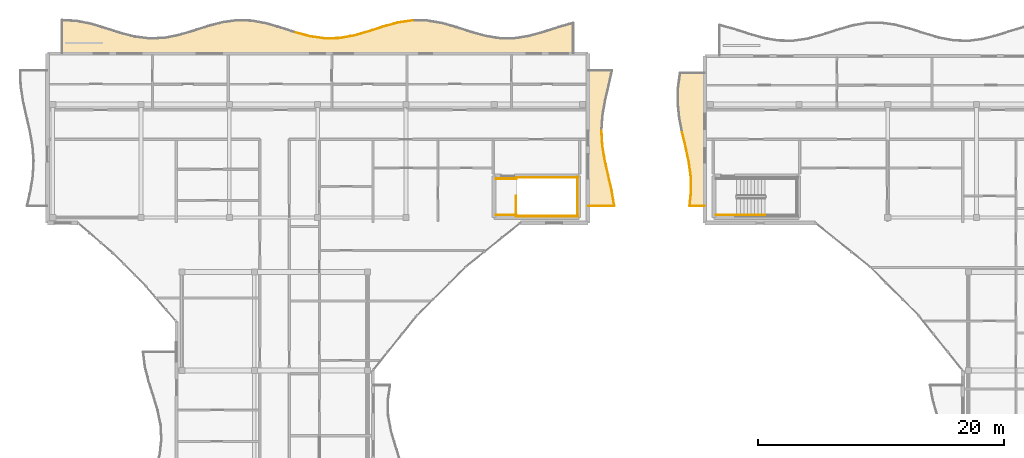
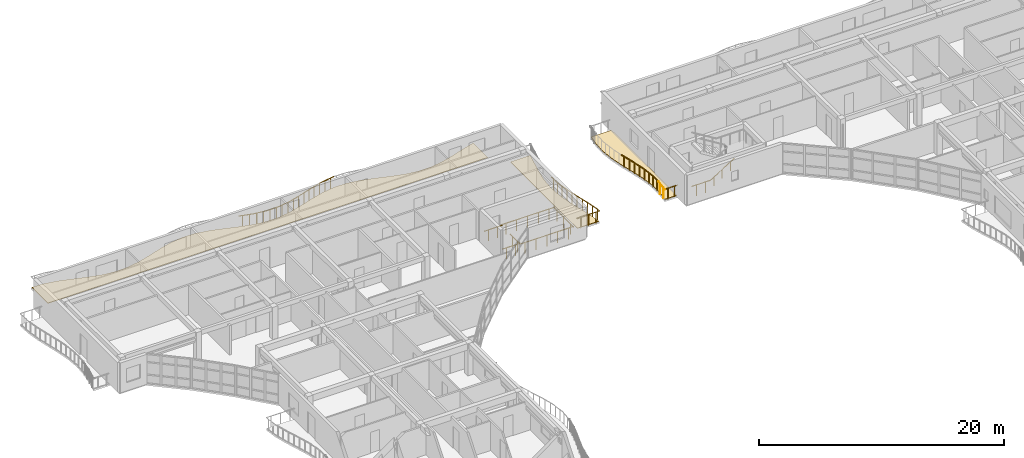
# One storey, part 25 of 30: 28 railings, 3 coverings.
"""IFC4 building model written with IfcOpenShell, lengths in metres."""

from ifc_helpers import new_model, si_unit, direction, frame, origin, origin_2d, place, context, subcontext, project, spatial, polyline, circle, outline, extrude, material, layer, layer_set, type_object, element, save


model = new_model("IFC4")

# Units and contexts
model_context = context("Model", 3, precision=1e-05, world=origin(), true_north=direction((0.0, 1.0)))
body_context = subcontext(model_context, "Body", "Model", "MODEL_VIEW")
ifc_project = project(units=[si_unit("LENGTHUNIT", "METRE"), si_unit("AREAUNIT", "SQUARE_METRE"), si_unit("VOLUMEUNIT", "CUBIC_METRE"), si_unit("PLANEANGLEUNIT", "RADIAN"), si_unit("MASSUNIT", "GRAM", prefix="KILO")], contexts=[model_context])

# Site, building, storey
site_placement = place(None, origin())
site = spatial("IfcSite", under=ifc_project, at=site_placement, CompositionType="ELEMENT")
building_placement = place(site_placement, origin())
building = spatial("IfcBuilding", under=site, at=building_placement, Name="Keldmere Railside Commons", CompositionType="ELEMENT")
storey_placement = place(building_placement, frame((0.0, 0.0, 36.159912109375)))
storey = spatial("IfcBuildingStorey", under=building, at=storey_placement, Name="L11", CompositionType="ELEMENT", Elevation=36.159912109375)

# Railings
ifc_material_1 = material(Name="Steel F-24 (S235)", Category="steel")
railing_type_1 = type_object("IfcRailingType", Name="Balcony & Terrace Steel Balustrade 1100", PredefinedType="BALUSTRADE", material=ifc_material_1)
railing_1_placement = place(storey_placement, frame((113.717041015625, 115.5, 0.0)))
element("IfcRailing", 1, at=railing_1_placement, inside=storey, type_object=railing_type_1, Name="GR-1 GRD-L11-3070", PredefinedType="BALUSTRADE", context=body_context, shape_type="SweptSolid", body=[
    extrude(circle(Radius=0.02392578125, at=origin_2d()), frame((0.0, 0.0, 1.076171875), z_axis=(0.966106381796, -0.258144260159, 0.0), x_axis=(0.258144260159, 0.966106381796, 0.0)), (0.0, 0.0, 1.0), 1.23046875),
    extrude(circle(Radius=0.02099609375, at=origin_2d()), frame((0.297119140625, -0.079345703125, 0.0)), (0.0, 0.0, 1.0), 1.048095703125),
    extrude(circle(Radius=0.02099609375, at=origin_2d()), frame((0.8916015625, -0.23828125, 0.0)), (0.0, 0.0, 1.0), 1.048095703125),
])
railing_2_placement = place(storey_placement, frame((114.90576171875, 115.182373046875, 0.0)))
element("IfcRailing", 2, at=railing_2_placement, inside=storey, type_object=railing_type_1, Name="GR-1 GRD-L11-3071", PredefinedType="BALUSTRADE", context=body_context, shape_type="SweptSolid", body=[
    extrude(circle(Radius=0.02392578125, at=origin_2d()), frame((0.0, 0.0, 1.076171875), z_axis=(0.990103478867, -0.140339235912, 0.0), x_axis=(0.140339235912, 0.990103478867, 0.0)), (0.0, 0.0, 1.0), 1.200439453125),
    extrude(circle(Radius=0.02099609375, at=origin_2d()), frame((0.297119140625, -0.0419921875, 0.0)), (0.0, 0.0, 1.0), 1.048095703125),
    extrude(circle(Radius=0.02099609375, at=origin_2d()), frame((0.891357421875, -0.12646484375, 0.0)), (0.0, 0.0, 1.0), 1.048095703125),
])
railing_3_placement = place(storey_placement, frame((116.09423828125, 115.013916015625, 0.0)))
element("IfcRailing", 3, at=railing_3_placement, inside=storey, type_object=railing_type_1, Name="GR-1 GRD-L11-3072", PredefinedType="BALUSTRADE", context=body_context, shape_type="SweptSolid", body=[
    extrude(circle(Radius=0.02392578125, at=origin_2d()), frame((0.0, 0.0, 1.076171875), z_axis=(0.999771961298, 0.021354751278, 0.0), x_axis=(-0.021354751278, 0.999771961298, 0.0)), (0.0, 0.0, 1.0), 1.18896484375),
    extrude(circle(Radius=0.02099609375, at=origin_2d()), frame((0.297119140625, 0.00634765625, 0.0)), (0.0, 0.0, 1.0), 1.048095703125),
    extrude(circle(Radius=0.02099609375, at=origin_2d()), frame((0.8916015625, 0.01904296875, 0.0)), (0.0, 0.0, 1.0), 1.048095703125),
])
railing_4_placement = place(storey_placement, frame((117.282958984375, 115.039306640625, 0.0)))
element("IfcRailing", 4, at=railing_4_placement, inside=storey, type_object=railing_type_1, Name="GR-1 GRD-L11-3073", PredefinedType="BALUSTRADE", context=body_context, shape_type="SweptSolid", body=[
    extrude(circle(Radius=0.02392578125, at=origin_2d()), frame((0.0, 0.0, 1.076171875), z_axis=(0.984472539582, 0.175538653319, 0.0), x_axis=(-0.175538653319, 0.984472539582, 0.0)), (0.0, 0.0, 1.0), 1.207275390625),
    extrude(circle(Radius=0.02099609375, at=origin_2d()), frame((0.297119140625, 0.052978515625, 0.0)), (0.0, 0.0, 1.0), 1.048095703125),
    extrude(circle(Radius=0.02099609375, at=origin_2d()), frame((0.891357421875, 0.158935546875, 0.0)), (0.0, 0.0, 1.0), 1.048095703125),
])
railing_5_placement = place(storey_placement, frame((118.471435546875, 115.251220703125, 0.0)))
element("IfcRailing", 5, at=railing_5_placement, inside=storey, type_object=railing_type_1, Name="GR-1 GRD-L11-3074", PredefinedType="BALUSTRADE", context=body_context, shape_type="SweptSolid", body=[
    extrude(circle(Radius=0.02392578125, at=origin_2d()), frame((0.0, 0.0, 1.076171875), z_axis=(0.960730552569, 0.27748298211, 0.0), x_axis=(-0.27748298211, 0.960730552569, 0.0)), (0.0, 0.0, 1.0), 1.237060546875),
    extrude(circle(Radius=0.02099609375, at=origin_2d()), frame((0.297119140625, 0.0859375, 0.0)), (0.0, 0.0, 1.0), 1.048095703125),
    extrude(circle(Radius=0.02099609375, at=origin_2d()), frame((0.891357421875, 0.25732421875, 0.0)), (0.0, 0.0, 1.0), 1.048095703125),
])
railing_6_placement = place(storey_placement, frame((119.659912109375, 115.594482421875, 0.0)))
element("IfcRailing", 6, at=railing_6_placement, inside=storey, type_object=railing_type_1, Name="GR-1 GRD-L11-3075", PredefinedType="BALUSTRADE", context=body_context, shape_type="SweptSolid", body=[
    extrude(circle(Radius=0.02392578125, at=origin_2d()), frame((0.0, 0.0, 1.076171875), z_axis=(0.95151687698, 0.307596542281, 0.0), x_axis=(-0.307596542281, 0.95151687698, 0.0)), (0.0, 0.0, 1.0), 1.249267578125),
    extrude(circle(Radius=0.02099609375, at=origin_2d()), frame((0.297119140625, 0.09619140625, 0.0)), (0.0, 0.0, 1.0), 1.048095703125),
    extrude(circle(Radius=0.02099609375, at=origin_2d()), frame((0.8916015625, 0.2880859375, 0.0)), (0.0, 0.0, 1.0), 1.048095703125),
])
railing_7_placement = place(storey_placement, frame((120.8486328125, 115.978759765625, 0.0)))
element("IfcRailing", 7, at=railing_7_placement, inside=storey, type_object=railing_type_1, Name="GR-1 GRD-L11-3076", PredefinedType="BALUSTRADE", context=body_context, shape_type="SweptSolid", body=[
    extrude(circle(Radius=0.02392578125, at=origin_2d()), frame((0.0, 0.0, 1.076171875), z_axis=(0.964795829633, 0.263000013542, 0.0), x_axis=(-0.263000013542, 0.964795829633, 0.0)), (0.0, 0.0, 1.0), 1.23193359375),
    extrude(circle(Radius=0.02099609375, at=origin_2d()), frame((0.297119140625, 0.0810546875, 0.0)), (0.0, 0.0, 1.0), 1.048095703125),
    extrude(circle(Radius=0.02099609375, at=origin_2d()), frame((0.891357421875, 0.242919921875, 0.0)), (0.0, 0.0, 1.0), 1.048095703125),
])
railing_8_placement = place(storey_placement, frame((122.037109375, 116.302734375, 0.0)))
element("IfcRailing", 8, at=railing_8_placement, inside=storey, type_object=railing_type_1, Name="GR-1 GRD-L11-3077", PredefinedType="BALUSTRADE", context=body_context, shape_type="SweptSolid", body=[
    extrude(circle(Radius=0.02392578125, at=origin_2d()), frame((0.0, 0.0, 1.076171875), z_axis=(0.988912499054, 0.148499391292, 0.0), x_axis=(-0.148499391292, 0.988912499054, 0.0)), (0.0, 0.0, 1.0), 1.201904296875),
    extrude(circle(Radius=0.02099609375, at=origin_2d()), frame((0.297119140625, 0.044677734375, 0.0)), (0.0, 0.0, 1.0), 1.048095703125),
    extrude(circle(Radius=0.02099609375, at=origin_2d()), frame((0.891357421875, 0.1337890625, 0.0)), (0.0, 0.0, 1.0), 1.048095703125),
])
railing_9_placement = place(storey_placement, frame((137.5, 101.39990234375, 0.0)))
element("IfcRailing", 9, at=railing_9_placement, inside=storey, type_object=railing_type_1, Name="GR-1 GRD-L11-3131", PredefinedType="BALUSTRADE", context=body_context, shape_type="SweptSolid", body=[
    extrude(circle(Radius=0.02392578125, at=origin_2d()), frame((0.0, 0.0, 1.076171875), z_axis=(1.0, 0.0, 0.0), x_axis=(0.0, 1.0, 0.0)), (0.0, 0.0, 1.0), 2.1337890625),
    extrude(circle(Radius=0.02099609375, at=origin_2d()), frame((0.355712890625, 0.0, 0.0)), (0.0, 0.0, 1.0), 1.048095703125),
    extrude(circle(Radius=0.02099609375, at=origin_2d()), frame((1.06689453125, 0.0, 0.0)), (0.0, 0.0, 1.0), 1.048095703125),
    extrude(circle(Radius=0.02099609375, at=origin_2d()), frame((1.778076171875, 0.0, 0.0)), (0.0, 0.0, 1.0), 1.048095703125),
])
railing_10_placement = place(storey_placement, frame((139.6337890625, 101.39990234375, 0.0)))
element("IfcRailing", 10, at=railing_10_placement, inside=storey, type_object=railing_type_1, Name="GR-1 GRD-L11-3132", PredefinedType="BALUSTRADE", context=body_context, shape_type="SweptSolid", body=[
    extrude(circle(Radius=0.02392578125, at=origin_2d()), frame((0.0, 0.0, 1.076171875), z_axis=(-0.161617699963, 0.986853443556, 0.0), x_axis=(-0.986853443556, -0.161617699963, 0.0)), (0.0, 0.0, 1.0), 1.23876953125),
    extrude(circle(Radius=0.02099609375, at=origin_2d()), frame((-0.050048828125, 0.3056640625, 0.0)), (0.0, 0.0, 1.0), 1.048095703125),
    extrude(circle(Radius=0.02099609375, at=origin_2d()), frame((-0.150146484375, 0.916748046875, 0.0)), (0.0, 0.0, 1.0), 1.048095703125),
])
railing_11_placement = place(storey_placement, frame((139.43359375, 102.622314453125, 0.0)))
element("IfcRailing", 11, at=railing_11_placement, inside=storey, type_object=railing_type_1, Name="GR-1 GRD-L11-3133", PredefinedType="BALUSTRADE", context=body_context, shape_type="SweptSolid", body=[
    extrude(circle(Radius=0.02392578125, at=origin_2d()), frame((0.0, 0.0, 1.076171875), z_axis=(-0.222597412717, 0.974910453248, 0.0), x_axis=(-0.974910453248, -0.222597412717, 0.0)), (0.0, 0.0, 1.0), 1.253662109375),
    extrude(circle(Radius=0.02099609375, at=origin_2d()), frame((-0.06982421875, 0.3056640625, 0.0)), (0.0, 0.0, 1.0), 1.048095703125),
    extrude(circle(Radius=0.02099609375, at=origin_2d()), frame((-0.209228515625, 0.91650390625, 0.0)), (0.0, 0.0, 1.0), 1.048095703125),
])
railing_12_placement = place(storey_placement, frame((139.154541015625, 103.844482421875, 0.0)))
element("IfcRailing", 12, at=railing_12_placement, inside=storey, type_object=railing_type_1, Name="GR-1 GRD-L11-3134", PredefinedType="BALUSTRADE", context=body_context, shape_type="SweptSolid", body=[
    extrude(circle(Radius=0.02392578125, at=origin_2d()), frame((0.0, 0.0, 1.076171875), z_axis=(-0.223522604913, 0.974698745815, 0.0), x_axis=(-0.974698745815, -0.223522604913, 0.0)), (0.0, 0.0, 1.0), 1.25390625),
    extrude(circle(Radius=0.02099609375, at=origin_2d()), frame((-0.070068359375, 0.3056640625, 0.0)), (0.0, 0.0, 1.0), 1.048095703125),
    extrude(circle(Radius=0.02099609375, at=origin_2d()), frame((-0.210205078125, 0.91650390625, 0.0)), (0.0, 0.0, 1.0), 1.048095703125),
])
railing_13_placement = place(storey_placement, frame((138.874267578125, 105.066650390625, 0.0)))
element("IfcRailing", 13, at=railing_13_placement, inside=storey, type_object=railing_type_1, Name="GR-1 GRD-L11-3135", PredefinedType="BALUSTRADE", context=body_context, shape_type="SweptSolid", body=[
    extrude(circle(Radius=0.02392578125, at=origin_2d()), frame((0.0, 0.0, 1.076171875), z_axis=(-0.164335080649, 0.986404572814, 0.0), x_axis=(-0.986404572814, -0.164335080649, 0.0)), (0.0, 0.0, 1.0), 1.239013671875),
    extrude(circle(Radius=0.02099609375, at=origin_2d()), frame((-0.05078125, 0.3056640625, 0.0)), (0.0, 0.0, 1.0), 1.048095703125),
    extrude(circle(Radius=0.02099609375, at=origin_2d()), frame((-0.15283203125, 0.91650390625, 0.0)), (0.0, 0.0, 1.0), 1.048095703125),
])
railing_14_placement = place(storey_placement, frame((138.670654296875, 106.288818359375, 0.0)))
element("IfcRailing", 14, at=railing_14_placement, inside=storey, type_object=railing_type_1, Name="GR-1 GRD-L11-3136", PredefinedType="BALUSTRADE", context=body_context, shape_type="SweptSolid", body=[
    extrude(circle(Radius=0.02392578125, at=origin_2d()), frame((0.0, 0.0, 1.076171875), z_axis=(-0.057634759412, 0.998337735692, 0.0), x_axis=(-0.998337735692, -0.057634759412, 0.0)), (0.0, 0.0, 1.0), 1.22412109375),
    extrude(circle(Radius=0.02099609375, at=origin_2d()), frame((-0.017578125, 0.3056640625, 0.0)), (0.0, 0.0, 1.0), 1.048095703125),
    extrude(circle(Radius=0.02099609375, at=origin_2d()), frame((-0.052978515625, 0.91650390625, 0.0)), (0.0, 0.0, 1.0), 1.048095703125),
])
railing_15_placement = place(storey_placement, frame((147.0, 101.39990234375, 0.0)))
element("IfcRailing", 15, at=railing_15_placement, inside=storey, type_object=railing_type_1, Name="GR-1 GRD-L11-4530", PredefinedType="BALUSTRADE", context=body_context, shape_type="SweptSolid", body=[
    extrude(circle(Radius=0.02392578125, at=origin_2d()), frame((0.0, 0.0, 1.076171875), z_axis=(-1.0, 0.0, 0.0), x_axis=(0.0, -1.0, 0.0)), (0.0, 0.0, 1.0), 1.227783203125),
    extrude(circle(Radius=0.02099609375, at=origin_2d()), frame((-0.306884765625, 0.0, 0.0)), (0.0, 0.0, 1.0), 1.048095703125),
    extrude(circle(Radius=0.02099609375, at=origin_2d()), frame((-0.9208984375, 0.0, 0.0)), (0.0, 0.0, 1.0), 1.048095703125),
])
railing_16_placement = place(storey_placement, frame((145.772216796875, 101.39990234375, 0.0)))
element("IfcRailing", 16, at=railing_16_placement, inside=storey, type_object=railing_type_1, Name="GR-1 GRD-L11-4531", PredefinedType="BALUSTRADE", context=body_context, shape_type="SweptSolid", body=[
    extrude(circle(Radius=0.02392578125, at=origin_2d()), frame((0.0, 0.0, 1.076171875), z_axis=(0.099183057375, 0.995069204191, 0.0), x_axis=(-0.995069204191, 0.099183057375, 0.0)), (0.0, 0.0, 1.0), 1.2060546875),
    extrude(circle(Radius=0.02099609375, at=origin_2d()), frame((0.02978515625, 0.300048828125, 0.0)), (0.0, 0.0, 1.0), 1.048095703125),
    extrude(circle(Radius=0.02099609375, at=origin_2d()), frame((0.08984375, 0.900146484375, 0.0)), (0.0, 0.0, 1.0), 1.048095703125),
])
railing_17_placement = place(storey_placement, frame((145.891845703125, 102.60009765625, 0.0)))
element("IfcRailing", 17, at=railing_17_placement, inside=storey, type_object=railing_type_1, Name="GR-1 GRD-L11-4532", PredefinedType="BALUSTRADE", context=body_context, shape_type="SweptSolid", body=[
    extrude(circle(Radius=0.02392578125, at=origin_2d()), frame((0.0, 0.0, 1.076171875), z_axis=(-0.021358300707, 0.999771885477, 0.0), x_axis=(-0.999771885477, -0.021358300707, 0.0)), (0.0, 0.0, 1.0), 1.2001953125),
    extrude(circle(Radius=0.02099609375, at=origin_2d()), frame((-0.00634765625, 0.300048828125, 0.0)), (0.0, 0.0, 1.0), 1.048095703125),
    extrude(circle(Radius=0.02099609375, at=origin_2d()), frame((-0.019287109375, 0.89990234375, 0.0)), (0.0, 0.0, 1.0), 1.048095703125),
])
railing_18_placement = place(storey_placement, frame((145.8662109375, 103.800048828125, 0.0)))
element("IfcRailing", 18, at=railing_18_placement, inside=storey, type_object=railing_type_1, Name="GR-1 GRD-L11-4533", PredefinedType="BALUSTRADE", context=body_context, shape_type="SweptSolid", body=[
    extrude(circle(Radius=0.02392578125, at=origin_2d()), frame((0.0, 0.0, 1.076171875), z_axis=(-0.135266132612, 0.990809302221, 0.0), x_axis=(-0.990809302221, -0.135266132612, 0.0)), (0.0, 0.0, 1.0), 1.211181640625),
    extrude(circle(Radius=0.02099609375, at=origin_2d()), frame((-0.041015625, 0.300048828125, 0.0)), (0.0, 0.0, 1.0), 1.048095703125),
    extrude(circle(Radius=0.02099609375, at=origin_2d()), frame((-0.122802734375, 0.89990234375, 0.0)), (0.0, 0.0, 1.0), 1.048095703125),
])
railing_19_placement = place(storey_placement, frame((145.702392578125, 105.0, 0.0)))
element("IfcRailing", 19, at=railing_19_placement, inside=storey, type_object=railing_type_1, Name="GR-1 GRD-L11-4534", PredefinedType="BALUSTRADE", context=body_context, shape_type="SweptSolid", body=[
    extrude(circle(Radius=0.02392578125, at=origin_2d()), frame((0.0, 0.0, 1.076171875), z_axis=(-0.210439099291, 0.977606968822, 0.0), x_axis=(-0.977606968822, -0.210439099291, 0.0)), (0.0, 0.0, 1.0), 1.2275390625),
    extrude(circle(Radius=0.02099609375, at=origin_2d()), frame((-0.064453125, 0.300048828125, 0.0)), (0.0, 0.0, 1.0), 1.048095703125),
    extrude(circle(Radius=0.02099609375, at=origin_2d()), frame((-0.19384765625, 0.89990234375, 0.0)), (0.0, 0.0, 1.0), 1.048095703125),
])
railing_20_placement = place(storey_placement, frame((145.444091796875, 106.199951171875, 0.0)))
element("IfcRailing", 20, at=railing_20_placement, inside=storey, type_object=railing_type_1, Name="GR-1 GRD-L11-4535", PredefinedType="BALUSTRADE", context=body_context, shape_type="SweptSolid", body=[
    extrude(circle(Radius=0.02392578125, at=origin_2d()), frame((0.0, 0.0, 1.076171875), z_axis=(-0.229889064392, 0.973216840212, 0.0), x_axis=(-0.973216840212, -0.229889064392, 0.0)), (0.0, 0.0, 1.0), 1.23291015625),
    extrude(circle(Radius=0.02099609375, at=origin_2d()), frame((-0.07080078125, 0.300048828125, 0.0)), (0.0, 0.0, 1.0), 1.048095703125),
    extrude(circle(Radius=0.02099609375, at=origin_2d()), frame((-0.212646484375, 0.89990234375, 0.0)), (0.0, 0.0, 1.0), 1.048095703125),
])
railing_type_2 = type_object("IfcRailingType", Name="Stair Well Steel Guardrail 1100", PredefinedType="BALUSTRADE", material=ifc_material_1)
railing_21_placement = place(storey_placement, frame((131.64990234375, 100.60009765625, 0.0)))
element("IfcRailing", 21, at=railing_21_placement, inside=storey, type_object=railing_type_2, Name="L11 ST-B2 top well guard 1", PredefinedType="BALUSTRADE", context=body_context, shape_type="SweptSolid", body=[
    extrude(circle(Radius=0.02392578125, at=origin_2d()), frame((0.0, 0.0, 1.076171875), z_axis=(0.0, 1.0, 0.0), x_axis=(-1.0, 0.0, 0.0)), (0.0, 0.0, 1.0), 1.599853515625),
    extrude(circle(Radius=0.02099609375, at=origin_2d()), frame((0.0, 0.39990234375, 0.0)), (0.0, 0.0, 1.0), 1.048095703125),
    extrude(circle(Radius=0.02099609375, at=origin_2d()), frame((0.0, 1.199951171875, 0.0)), (0.0, 0.0, 1.0), 1.048095703125),
])
for number, where, name in (
    (22, (131.60009765625, 100.550048828125, 0.0), "L11 ST-B2 top well guard 2"),
    (23, (131.60009765625, 103.699951171875, 0.0), "L11 ST-B2 top well guard 3"),
):
    element("IfcRailing", number, at=place(storey_placement, frame(where)), inside=storey, type_object=railing_type_2, Name=name, PredefinedType="BALUSTRADE", context=body_context, shape_type="SweptSolid", body=[
        extrude(circle(Radius=0.02392578125, at=origin_2d()), frame((0.0, 0.0, 1.076171875), z_axis=(1.0, 0.0, 0.0), x_axis=(0.0, 1.0, 0.0)), (0.0, 0.0, 1.0), 5.099853515625),
        extrude(circle(Radius=0.02099609375, at=origin_2d()), frame((0.510009765625, 0.0, 0.0)), (0.0, 0.0, 1.0), 1.048095703125),
        extrude(circle(Radius=0.02099609375, at=origin_2d()), frame((1.530029296875, 0.0, 0.0)), (0.0, 0.0, 1.0), 1.048095703125),
        extrude(circle(Radius=0.02099609375, at=origin_2d()), frame((2.5498046875, 0.0, 0.0)), (0.0, 0.0, 1.0), 1.048095703125),
        extrude(circle(Radius=0.02099609375, at=origin_2d()), frame((3.56982421875, 0.0, 0.0)), (0.0, 0.0, 1.0), 1.048095703125),
        extrude(circle(Radius=0.02099609375, at=origin_2d()), frame((4.58984375, 0.0, 0.0)), (0.0, 0.0, 1.0), 1.048095703125),
    ])
railing_22_placement = place(storey_placement, frame((136.64990234375, 100.5, 0.0)))
element("IfcRailing", 24, at=railing_22_placement, inside=storey, type_object=railing_type_2, Name="L11 ST-B2 top well guard 4", PredefinedType="BALUSTRADE", context=body_context, shape_type="SweptSolid", body=[
    extrude(circle(Radius=0.02392578125, at=origin_2d()), frame((0.0, 0.0, 1.076171875), z_axis=(0.0, 1.0, 0.0), x_axis=(-1.0, 0.0, 0.0)), (0.0, 0.0, 1.0), 3.25),
    extrude(circle(Radius=0.02099609375, at=origin_2d()), frame((0.0, 0.541748046875, 0.0)), (0.0, 0.0, 1.0), 1.048095703125),
    extrude(circle(Radius=0.02099609375, at=origin_2d()), frame((0.0, 1.625, 0.0)), (0.0, 0.0, 1.0), 1.048095703125),
    extrude(circle(Radius=0.02099609375, at=origin_2d()), frame((0.0, 2.708251953125, 0.0)), (0.0, 0.0, 1.0), 1.048095703125),
])
for number, where, name in (
    (25, (130.0, 100.64990234375, 0.0), "L11 ST-B2 top well guard 5"),
    (26, (130.0, 103.60009765625, 0.0), "L11 ST-B2 top well guard 6"),
):
    element("IfcRailing", number, at=place(storey_placement, frame(where)), inside=storey, type_object=railing_type_2, Name=name, PredefinedType="BALUSTRADE", context=body_context, shape_type="SweptSolid", body=[
        extrude(circle(Radius=0.02392578125, at=origin_2d()), frame((0.0, 0.0, 1.076171875), z_axis=(1.0, 0.0, 0.0), x_axis=(0.0, 1.0, 0.0)), (0.0, 0.0, 1.0), 1.699951171875),
        extrude(circle(Radius=0.02099609375, at=origin_2d()), frame((0.425048828125, 0.0, 0.0)), (0.0, 0.0, 1.0), 1.048095703125),
        extrude(circle(Radius=0.02099609375, at=origin_2d()), frame((1.27490234375, 0.0, 0.0)), (0.0, 0.0, 1.0), 1.048095703125),
    ])
railing_23_placement = place(storey_placement, frame((147.89990234375, 100.64990234375, 0.0)))
element("IfcRailing", 27, at=railing_23_placement, inside=storey, type_object=railing_type_2, Name="L11 ST-A2 stair guard 8", PredefinedType="BALUSTRADE", context=body_context, shape_type="SweptSolid", body=[
    extrude(circle(Radius=0.02392578125, at=origin_2d()), frame((0.0, 0.0, 1.076171875), z_axis=(1.0, 0.0, 0.0), x_axis=(0.0, 1.0, 0.0)), (0.0, 0.0, 1.0), 1.7001953125),
    extrude(circle(Radius=0.02099609375, at=origin_2d()), frame((0.425048828125, 0.0, 0.0)), (0.0, 0.0, 1.0), 1.048095703125),
    extrude(circle(Radius=0.02099609375, at=origin_2d()), frame((1.275146484375, 0.0, 0.0)), (0.0, 0.0, 1.0), 1.048095703125),
])
railing_type_3 = type_object("IfcRailingType", Name="Wall-Mounted Tubular Steel Handrail 900", PredefinedType="HANDRAIL", material=ifc_material_1)
railing_24_placement = place(storey_placement, frame((149.60009765625, 100.64990234375, 0.177978515625)))
element("IfcRailing", 28, at=railing_24_placement, inside=storey, type_object=railing_type_3, Name="L11 ST-A2 stair handrail 1", PredefinedType="HANDRAIL", context=body_context, shape_type="SweptSolid", body=[
    extrude(circle(Radius=0.02392578125, at=origin_2d()), frame((0.0, 0.0, 0.8759765625), z_axis=(0.85255353654, 0.0, 0.522639902162), x_axis=(0.0, 1.0, 0.0)), (0.0, 0.0, 1.0), 2.720947265625),
    extrude(circle(Radius=0.02099609375, at=origin_2d()), frame((0.38671875, 0.0, 0.237060546875)), (0.0, 0.0, 1.0), 0.847900390625),
    extrude(circle(Radius=0.02099609375, at=origin_2d()), frame((1.159912109375, 0.0, 0.7109375)), (0.0, 0.0, 1.0), 0.847900390625),
    extrude(circle(Radius=0.02099609375, at=origin_2d()), frame((1.93310546875, 0.0, 1.18505859375)), (0.0, 0.0, 1.0), 0.847900390625),
])

# Coverings
ifc_material_2 = material(Name="White Precast Concrete C35/45", Category="concrete")
ifc_layer = layer(ifc_material_2, 0.044921875, Name="White Architectural Balcony Ribbon Cladding 45")
ifc_layer_set = layer_set([ifc_layer], Name="White Precast Concrete C35/45")
covering_type = type_object("IfcCoveringType", Name="White Architectural Balcony Ribbon Cladding 45", PredefinedType="FLOORING", material=ifc_layer_set)
covering_1_placement = place(storey_placement, origin())
element("IfcCovering", 29, at=covering_1_placement, inside=storey, type_object=covering_type, Name="CLG-WB B L11 N White Balcony Ribbon", PredefinedType="FLOORING", context=body_context, shape_type="SweptSolid", body=[
    extrude(outline(polyline([(136.260009765625, 113.840087890625), (136.260009765625, 116.218505859375), (135.123046875, 115.897216796875), (133.935302734375, 115.512939453125), (133.93359375, 115.512451171875), (132.7451171875, 115.18017578125), (132.74072265625, 115.17919921875), (131.552001953125, 114.98681640625), (131.548828125, 114.986328125), (131.5458984375, 114.986083984375), (130.357177734375, 114.98388671875), (130.35400390625, 114.984130859375), (130.350830078125, 114.984619140625), (129.162353515625, 115.173095703125), (129.157958984375, 115.17431640625), (127.96923828125, 115.504150390625), (127.9677734375, 115.504638671875), (126.77978515625, 115.888916015625), (125.593994140625, 116.22607421875), (124.41064453125, 116.427490234375), (123.228515625, 116.44140625), (122.04541015625, 116.263427734375), (120.860107421875, 115.9404296875), (119.67236328125, 115.556396484375), (119.671142578125, 115.55615234375), (118.482421875, 115.212890625), (118.478515625, 115.2119140625), (117.289794921875, 114.999755859375), (117.286865234375, 114.99951171875), (117.28369140625, 114.999267578125), (116.09521484375, 114.97412109375), (116.091796875, 114.97412109375), (116.088623046875, 114.974365234375), (114.900146484375, 115.142822265625), (114.8955078125, 115.143798828125), (113.706787109375, 115.46142578125), (113.704833984375, 115.4619140625), (112.516845703125, 115.84521484375), (111.330810546875, 116.192626953125), (110.147216796875, 116.413330078125), (108.96484375, 116.449951171875), (107.781982421875, 116.292724609375), (106.596923828125, 115.982666015625), (105.4091796875, 115.6005859375), (105.408447265625, 115.6005859375), (104.219970703125, 115.24755859375), (104.21630859375, 115.24658203125), (103.027587890625, 115.015380859375), (103.024658203125, 115.01513671875), (103.021484375, 115.014892578125), (101.8330078125, 114.966796875), (101.82958984375, 114.966796875), (101.826416015625, 114.967041015625), (100.637939453125, 115.114501953125), (100.633056640625, 115.115234375), (99.4443359375, 115.41943359375), (99.442138671875, 115.420166015625), (98.25390625, 115.80078125), (97.0673828125, 116.15771484375), (95.883544921875, 116.396484375), (94.739990234375, 116.453857421875), (94.739990234375, 113.840087890625), (136.260009765625, 113.840087890625)])), origin(), (0.0, 0.0, 1.0), 0.045166015625),
])
covering_2_placement = place(storey_placement, origin())
element("IfcCovering", 30, at=covering_2_placement, inside=storey, type_object=covering_type, Name="CLG-WB B L11 WE White Balcony Ribbon", PredefinedType="FLOORING", context=body_context, shape_type="SweptSolid", body=[
    extrude(outline(polyline([(139.394287109375, 102.614501953125), (139.115478515625, 103.83544921875), (138.835205078125, 105.057861328125), (138.834716796875, 105.06005859375), (138.631103515625, 106.2822265625), (138.630615234375, 106.28662109375), (138.560302734375, 107.5087890625), (138.560302734375, 107.513916015625), (138.642333984375, 108.736083984375), (138.642822265625, 108.739990234375), (138.85498046875, 109.96240234375), (138.85546875, 109.964599609375), (139.138427734375, 111.186767578125), (139.40283203125, 112.360107421875), (137.5400390625, 112.360107421875), (137.5400390625, 101.43994140625), (139.586669921875, 101.43994140625), (139.394287109375, 102.614501953125)])), origin(), (0.0, 0.0, 1.0), 0.045166015625),
])
covering_3_placement = place(storey_placement, origin())
element("IfcCovering", 31, at=covering_3_placement, inside=storey, type_object=covering_type, Name="CLG-WB A L11 WW White Balcony Ribbon", PredefinedType="FLOORING", context=body_context, shape_type="SweptSolid", body=[
    extrude(outline(polyline([(146.9599609375, 112.159912109375), (145.032470703125, 112.159912109375), (144.87353515625, 110.996826171875), (144.84814453125, 109.801513671875), (144.96728515625, 108.605712890625), (145.19970703125, 107.408447265625), (145.48291015625, 106.209228515625), (145.483154296875, 106.20849609375), (145.74169921875, 105.00830078125), (145.7421875, 105.00537109375), (145.906005859375, 103.805419921875), (145.90625, 103.80078125), (145.931884765625, 102.600830078125), (145.931640625, 102.595947265625), (145.81640625, 101.43994140625), (146.9599609375, 101.43994140625), (146.9599609375, 112.159912109375)])), origin(), (0.0, 0.0, 1.0), 0.045166015625),
])

save(model, "model.ifc")
